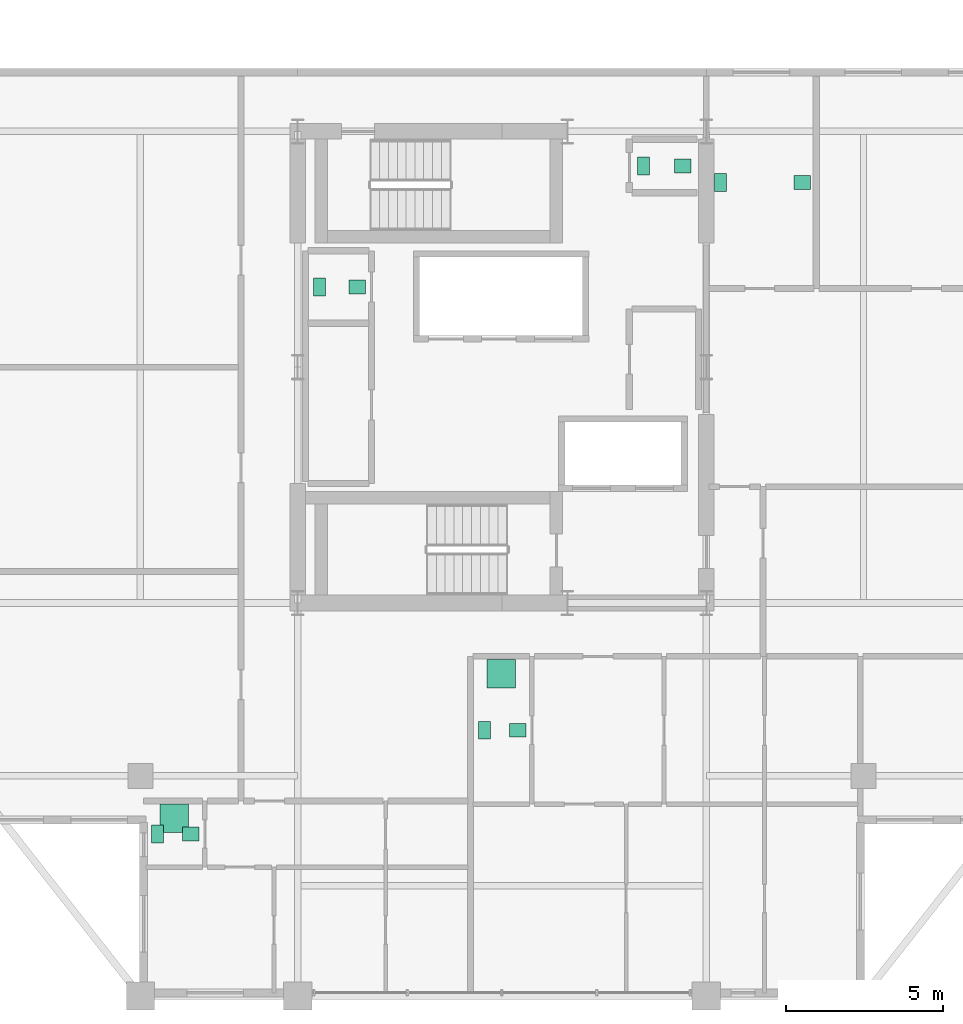
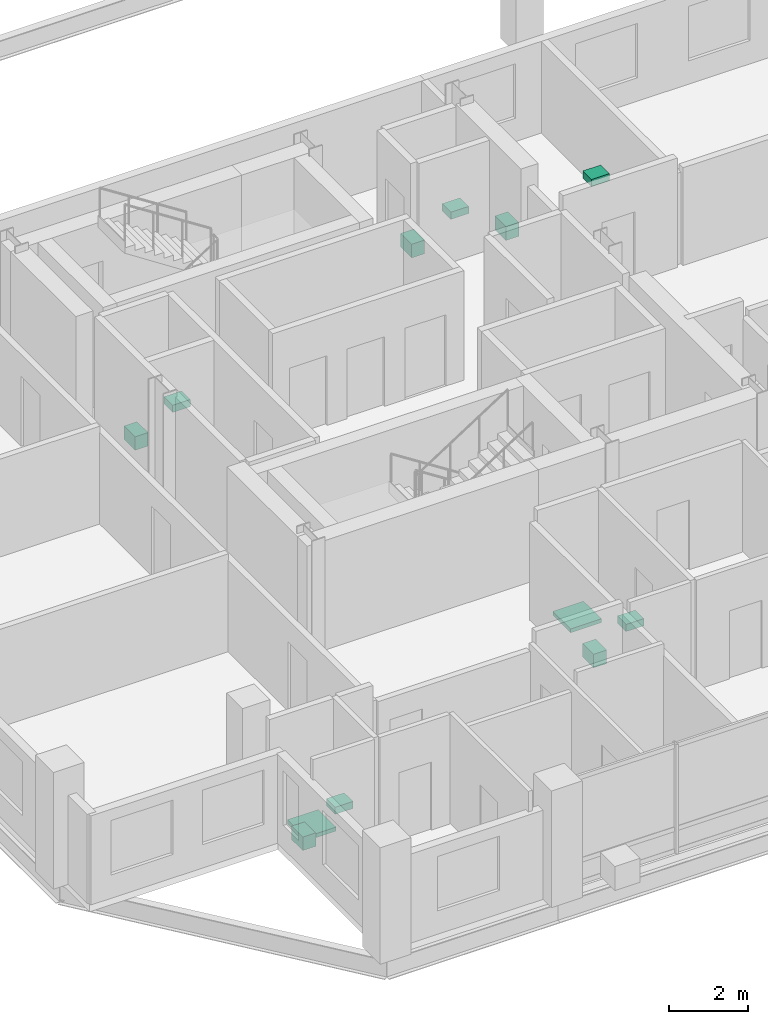
# One storey, part 16 of 16: 12 sanitary terminals.
"""IFC4 building model written with IfcOpenShell, lengths in metres."""

from ifc_helpers import new_model, si_unit, direction, frame, origin, origin_2d, place, context, subcontext, project, spatial, rectangle, extrude, material, type_object, element, save


model = new_model("IFC4")

# Units and contexts
model_context = context("Model", 3, precision=1e-05, world=origin(), true_north=direction((0.0, 1.0)))
body_context = subcontext(model_context, "Body", "Model", "MODEL_VIEW")
ifc_project = project(units=[si_unit("LENGTHUNIT", "METRE"), si_unit("AREAUNIT", "SQUARE_METRE"), si_unit("VOLUMEUNIT", "CUBIC_METRE"), si_unit("PLANEANGLEUNIT", "RADIAN"), si_unit("MASSUNIT", "GRAM", prefix="KILO")], contexts=[model_context])

# Site, building, storey
site_placement = place(None, origin())
site = spatial("IfcSite", under=ifc_project, at=site_placement, CompositionType="ELEMENT")
building_placement = place(site_placement, origin())
building = spatial("IfcBuilding", under=site, at=building_placement, Name="Barlavira Tower and Art Museum", CompositionType="ELEMENT")
storey_placement = place(building_placement, frame((0.0, 0.0, 265.5)))
storey = spatial("IfcBuildingStorey", under=building, at=storey_placement, Name="L69", CompositionType="ELEMENT", Elevation=265.5)

# Sanitary terminals
ifc_material = material(Name="Vitreous glazed ceramic", Category="ceramic")
sanitary_terminal_type_1 = type_object("IfcSanitaryTerminalType", Name="Countertop Ceramic Wash Hand Basin", PredefinedType="WASHHANDBASIN", material=ifc_material)
for number, where, z_axis, x_axis, name in (
    (1, (-4.60009765625, 2.550048828125, 0.740234375), (0.0, 0.0, 1.0), (1.0, 0.0, 0.0), "L69-C-REC1W Wash Basin"),
    (2, (5.75, 6.39990234375, 0.740234375), (0.0, 0.0, 1.0), (1.0, 0.0, 0.0), "L69-C-AWC4 Wash Basin"),
    (3, (-9.89990234375, -14.85009765625, 0.740234375), (0.0, 0.0, 1.0), (1.0, 0.0, 0.0), "L69-WP-SW-BTH1 Wash Basin"),
    (4, (0.5, -11.550048828125, 0.740234375), (0.0, 0.0, 1.0), (1.0, 0.0, 0.0), "L69-WP-SE-BTH1 Wash Basin"),
    (5, (9.550048828125, 5.875, 0.740234375), (0.0, 0.0, 1.0), (1.0, 0.0, 0.0), "L69-WP-AWC Wash Basin"),
):
    element("IfcSanitaryTerminal", number, at=place(storey_placement, frame(where, z_axis=z_axis, x_axis=x_axis)), inside=storey, type_object=sanitary_terminal_type_1, Name=name, PredefinedType="WASHHANDBASIN", context=body_context, shape_type="SweptSolid", body=[
        extrude(rectangle(XDim=0.52001953125, YDim=0.43994140625, at=origin_2d()), origin(), (0.0, 0.0, 1.0), 0.219970703125),
    ])
sanitary_terminal_type_2 = type_object("IfcSanitaryTerminalType", Name="Walk-In Thermostatic Rain Shower Unit", PredefinedType="SHOWER", material=ifc_material)
for number, where, z_axis, x_axis, name in (
    (6, (-10.425048828125, -14.35009765625, 0.0), (0.0, 0.0, 1.0), (1.0, 0.0, 0.0), "L69-WP-SW-BTH1 Rain Shower"),
    (7, (-0.02490234375, -9.75, 0.0), (0.0, 0.0, 1.0), (1.0, 0.0, 0.0), "L69-WP-SE-BTH1 Rain Shower"),
):
    element("IfcSanitaryTerminal", number, at=place(storey_placement, frame(where, z_axis=z_axis, x_axis=x_axis)), inside=storey, type_object=sanitary_terminal_type_2, Name=name, PredefinedType="SHOWER", context=body_context, shape_type="SweptSolid", body=[
        extrude(rectangle(XDim=0.89990234375, YDim=0.89990234375, at=origin_2d()), origin(), (0.0, 0.0, 1.0), 0.1201171875),
    ])
sanitary_terminal_type_3 = type_object("IfcSanitaryTerminalType", Name="Wall-Hung Dual-Flush Vitreous WC Pan", PredefinedType="TOILETPAN", material=ifc_material)
for number, where, z_axis, x_axis, name in (
    (8, (-5.800048828125, 2.550048828125, 0.0), (0.0, 0.0, 1.0), (1.0, 0.0, 0.0), "L69-C-REC1W WC Pan"),
    (9, (4.5, 6.39990234375, 0.0), (0.0, 0.0, 1.0), (1.0, 0.0, 0.0), "L69-C-AWC4 WC Pan"),
    (10, (-10.949951171875, -14.85009765625, 0.0), (0.0, 0.0, 1.0), (1.0, 0.0, 0.0), "L69-WP-SW-BTH1 WC Pan"),
    (11, (-0.550048828125, -11.550048828125, 0.0), (0.0, 0.0, 1.0), (1.0, 0.0, 0.0), "L69-WP-SE-BTH1 WC Pan"),
    (12, (6.949951171875, 5.875, 0.0), (0.0, 0.0, 1.0), (1.0, 0.0, 0.0), "L69-WP-AWC WC Pan"),
):
    element("IfcSanitaryTerminal", number, at=place(storey_placement, frame(where, z_axis=z_axis, x_axis=x_axis)), inside=storey, type_object=sanitary_terminal_type_3, Name=name, PredefinedType="TOILETPAN", context=body_context, shape_type="SweptSolid", body=[
        extrude(rectangle(XDim=0.3798828125, YDim=0.56005859375, at=origin_2d()), origin(), (0.0, 0.0, 1.0), 0.419921875),
    ])

save(model, "model.ifc")
